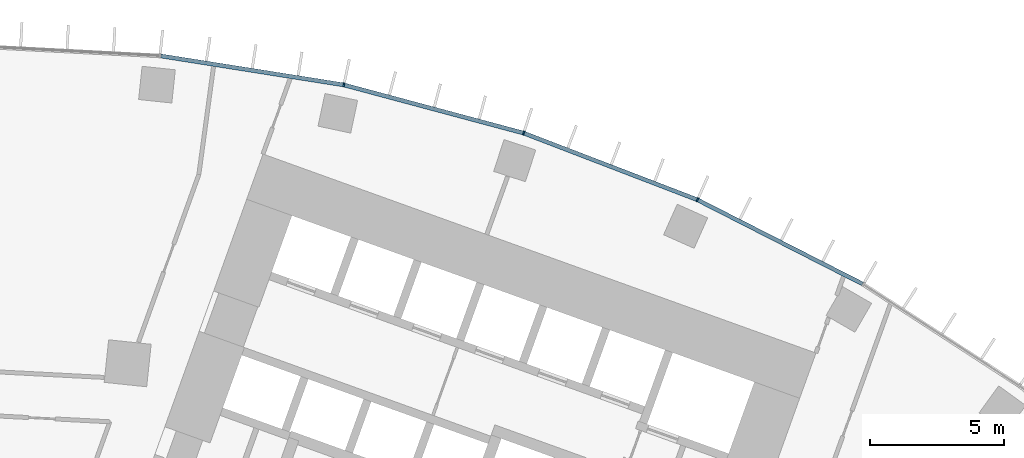
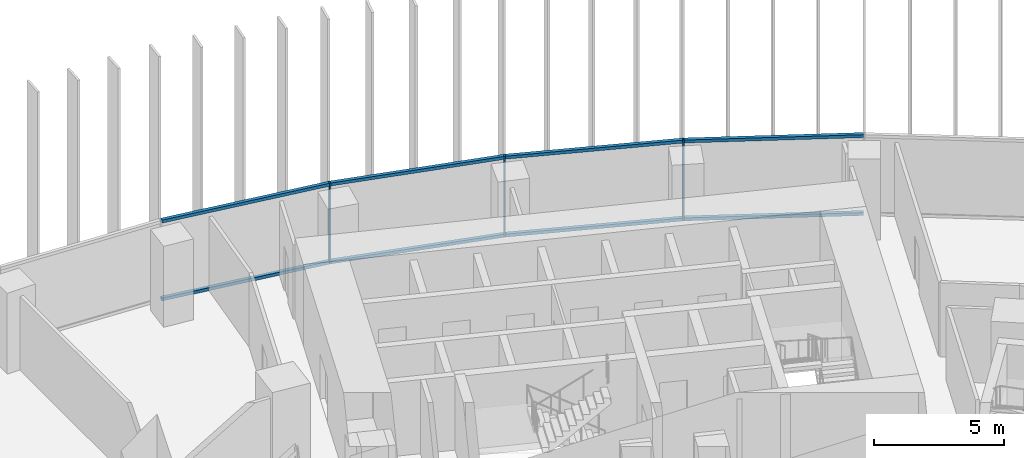
# One storey, part 13 of 25: 11 members, 1 element without a shape of its own.
"""IFC4 building model written with IfcOpenShell, lengths in metres."""

from ifc_helpers import new_model, si_unit, direction, frame, origin, origin_2d, place, context, subcontext, project, spatial, rectangle, extrude, material, layer, layer_set, material_profile, profile_set, type_object, element, aggregate, save


model = new_model("IFC4")

# Units and contexts
model_context = context("Model", 3, precision=1e-05, world=origin(), true_north=direction((0.0, 1.0)))
body_context = subcontext(model_context, "Body", "Model", "MODEL_VIEW")
ifc_project = project(units=[si_unit("LENGTHUNIT", "METRE"), si_unit("AREAUNIT", "SQUARE_METRE"), si_unit("VOLUMEUNIT", "CUBIC_METRE"), si_unit("PLANEANGLEUNIT", "RADIAN"), si_unit("MASSUNIT", "GRAM", prefix="KILO")], contexts=[model_context])

# Site, building, storey
site_placement = place(None, origin())
site = spatial("IfcSite", under=ifc_project, at=site_placement, CompositionType="ELEMENT")
building_placement = place(site_placement, origin())
building = spatial("IfcBuilding", under=site, at=building_placement, Name="Stone Belt Terrace Tower", CompositionType="ELEMENT")
storey_placement = place(building_placement, frame((0.0, 0.0, 52.800048828125)))
storey = spatial("IfcBuildingStorey", under=building, at=storey_placement, Name="L12", CompositionType="ELEMENT", Elevation=52.800048828125)

# Curtain wall, members
ifc_material = material(Name="Aluminium 6063-T6 anodised frame", Category="aluminium")
ifc_layer = layer(ifc_material, 0.14990234375)
ifc_layer_set = layer_set([ifc_layer], Name="CW-A unitised convex-face curtain wall")
curtain_wall_type = type_object("IfcCurtainWallType", Name="CW-A unitised convex-face curtain wall", PredefinedType="NOTDEFINED", material=ifc_layer_set)
curtain_wall_placement = place(storey_placement, origin())
curtain_wall = element("IfcCurtainWall", 1, at=curtain_wall_placement, inside=storey, type_object=curtain_wall_type, Name="CW-A convex face L12", PredefinedType="NOTDEFINED")
ifc_material_profile_1 = material_profile(ifc_material, rectangle(XDim=0.14990234375, YDim=0.06005859375, at=origin_2d()), Name="Aluminium 6063-T6 60x150")
ifc_profile_set_1 = profile_set([ifc_material_profile_1], Name="Aluminium 6063-T6 anodised frame")
member_type_1 = type_object("IfcMemberType", Name="CW-A mullion 60 x 150", PredefinedType="MULLION", material=ifc_profile_set_1)
member_1_placement = place(storey_placement, frame((27.07861328125, 60.8193359375, 0.0), z_axis=(0.0, 0.0, 1.0), x_axis=(-0.406736643076, -0.913545457643, 0.0)))
member_1 = element("IfcMember", 2, at=member_1_placement, type_object=member_type_1, Name="CW-A mullion 6", PredefinedType="MULLION", context=body_context, shape_type="SweptSolid", body=[
    extrude(rectangle(XDim=0.14990234375, YDim=0.06005859375, at=origin_2d()), origin(), (0.0, 0.0, 1.0), 3.800048828125),
])
member_2_placement = place(storey_placement, frame((20.57275390625, 63.316650390625, 0.0), z_axis=(0.0, 0.0, 1.0), x_axis=(-0.309016994375, -0.951056516295, 0.0)))
member_2 = element("IfcMember", 3, at=member_2_placement, type_object=member_type_1, Name="CW-A mullion 7", PredefinedType="MULLION", context=body_context, shape_type="SweptSolid", body=[
    extrude(rectangle(XDim=0.14990234375, YDim=0.06005859375, at=origin_2d()), origin(), (0.0, 0.0, 1.0), 3.800048828125),
])
member_3_placement = place(storey_placement, frame((13.841796875, 65.120361328125, 0.0), z_axis=(0.0, 0.0, 1.0), x_axis=(-0.207911690818, -0.978147600734, 0.0)))
member_3 = element("IfcMember", 4, at=member_3_placement, type_object=member_type_1, Name="CW-A mullion 8", PredefinedType="MULLION", context=body_context, shape_type="SweptSolid", body=[
    extrude(rectangle(XDim=0.14990234375, YDim=0.06005859375, at=origin_2d()), origin(), (0.0, 0.0, 1.0), 3.800048828125),
])
ifc_material_profile_2 = material_profile(ifc_material, rectangle(XDim=0.14990234375, YDim=0.139892578125, at=origin_2d()), Name="Aluminium 6063-T6 150x140")
ifc_profile_set_2 = profile_set([ifc_material_profile_2], Name="Aluminium 6063-T6 anodised frame")
member_type_2 = type_object("IfcMemberType", Name="CW-A transom 140 x 150", PredefinedType="USERDEFINED", material=ifc_profile_set_2)
member_4_placement = place(storey_placement, frame((33.25732421875, 57.671142578125, 0.070068359375), z_axis=(-0.891012226264, 0.453979308613, 0.0), x_axis=(-0.453979308613, -0.891012226264, 0.0)))
member_4 = element("IfcMember", 5, at=member_4_placement, type_object=member_type_2, Name="CW-A transom 5.1", ObjectType="TRANSOM", PredefinedType="USERDEFINED", context=body_context, shape_type="SweptSolid", body=[
    extrude(rectangle(XDim=0.14990234375, YDim=0.139892578125, at=origin_2d()), origin(), (0.0, 0.0, 1.0), 6.90087890625),
])
member_5_placement = place(storey_placement, frame((33.25732421875, 57.671142578125, 3.72998046875), z_axis=(-0.891012226264, 0.453979308613, 0.0), x_axis=(-0.453979308613, -0.891012226264, 0.0)))
member_5 = element("IfcMember", 6, at=member_5_placement, type_object=member_type_2, Name="CW-A transom 5.2", ObjectType="TRANSOM", PredefinedType="USERDEFINED", context=body_context, shape_type="SweptSolid", body=[
    extrude(rectangle(XDim=0.14990234375, YDim=0.139892578125, at=origin_2d()), origin(), (0.0, 0.0, 1.0), 6.90087890625),
])
member_6_placement = place(storey_placement, frame((27.046875, 60.83154296875, 0.070068359375), z_axis=(-0.933585210269, 0.358355487146, 0.0), x_axis=(-0.358355487146, -0.933585210269, 0.0)))
member_6 = element("IfcMember", 7, at=member_6_placement, type_object=member_type_2, Name="CW-A transom 6.1", ObjectType="TRANSOM", PredefinedType="USERDEFINED", context=body_context, shape_type="SweptSolid", body=[
    extrude(rectangle(XDim=0.14990234375, YDim=0.139892578125, at=origin_2d()), origin(), (0.0, 0.0, 1.0), 6.900634765625),
])
member_7_placement = place(storey_placement, frame((27.046875, 60.83154296875, 3.72998046875), z_axis=(-0.933585210269, 0.358355487146, 0.0), x_axis=(-0.358355487146, -0.933585210269, 0.0)))
member_7 = element("IfcMember", 8, at=member_7_placement, type_object=member_type_2, Name="CW-A transom 6.2", ObjectType="TRANSOM", PredefinedType="USERDEFINED", context=body_context, shape_type="SweptSolid", body=[
    extrude(rectangle(XDim=0.14990234375, YDim=0.139892578125, at=origin_2d()), origin(), (0.0, 0.0, 1.0), 6.900634765625),
])
member_8_placement = place(storey_placement, frame((20.5400390625, 63.325439453125, 0.070068359375), z_axis=(-0.965921835863, 0.258833937117, 0.0), x_axis=(-0.258833937117, -0.965921835863, 0.0)))
member_8 = element("IfcMember", 9, at=member_8_placement, type_object=member_type_2, Name="CW-A transom 7.1", ObjectType="TRANSOM", PredefinedType="USERDEFINED", context=body_context, shape_type="SweptSolid", body=[
    extrude(rectangle(XDim=0.14990234375, YDim=0.139892578125, at=origin_2d()), origin(), (0.0, 0.0, 1.0), 6.900634765625),
])
member_9_placement = place(storey_placement, frame((20.5400390625, 63.325439453125, 3.72998046875), z_axis=(-0.965921835863, 0.258833937117, 0.0), x_axis=(-0.258833937117, -0.965921835863, 0.0)))
member_9 = element("IfcMember", 10, at=member_9_placement, type_object=member_type_2, Name="CW-A transom 7.2", ObjectType="TRANSOM", PredefinedType="USERDEFINED", context=body_context, shape_type="SweptSolid", body=[
    extrude(rectangle(XDim=0.14990234375, YDim=0.139892578125, at=origin_2d()), origin(), (0.0, 0.0, 1.0), 6.900634765625),
])
member_10_placement = place(storey_placement, frame((13.808349609375, 65.12548828125, 0.070068359375), z_axis=(-0.987687120531, 0.156442168027, 0.0), x_axis=(-0.156442168027, -0.987687120531, 0.0)))
member_10 = element("IfcMember", 11, at=member_10_placement, type_object=member_type_2, Name="CW-A transom 8.1", ObjectType="TRANSOM", PredefinedType="USERDEFINED", context=body_context, shape_type="SweptSolid", body=[
    extrude(rectangle(XDim=0.14990234375, YDim=0.139892578125, at=origin_2d()), origin(), (0.0, 0.0, 1.0), 6.90087890625),
])
member_11_placement = place(storey_placement, frame((13.808349609375, 65.12548828125, 3.72998046875), z_axis=(-0.987687120531, 0.156442168027, 0.0), x_axis=(-0.156442168027, -0.987687120531, 0.0)))
member_11 = element("IfcMember", 12, at=member_11_placement, type_object=member_type_2, Name="CW-A transom 8.2", ObjectType="TRANSOM", PredefinedType="USERDEFINED", context=body_context, shape_type="SweptSolid", body=[
    extrude(rectangle(XDim=0.14990234375, YDim=0.139892578125, at=origin_2d()), origin(), (0.0, 0.0, 1.0), 6.90087890625),
])
aggregate(curtain_wall, [member_1, member_2, member_3, member_4, member_5, member_6, member_7, member_8, member_9, member_10, member_11])

save(model, "model.ifc")
